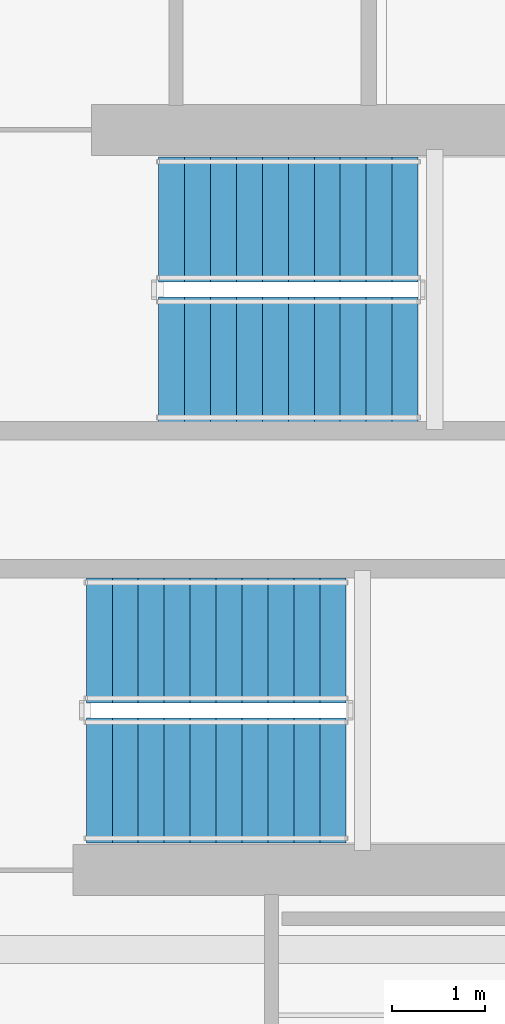
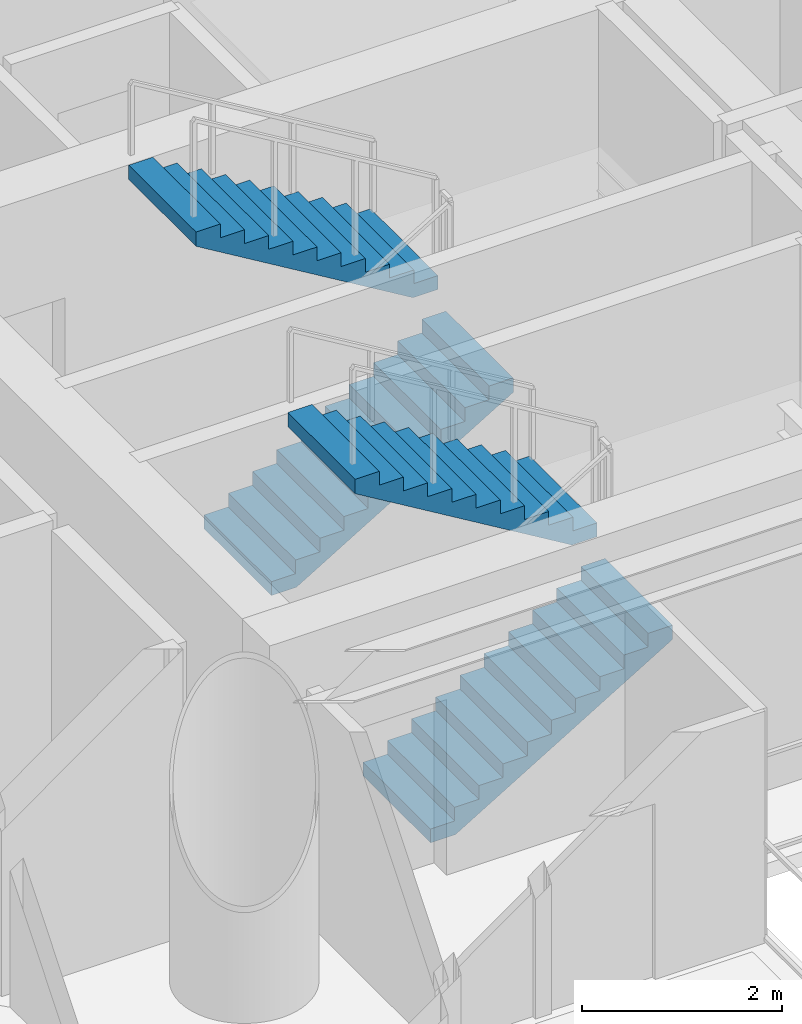
# One storey, part 17 of 19: 4 stair flights, 2 elements without a shape of their own.
"""IFC4 building model written with IfcOpenShell, lengths in metres."""

import ifcopenshell
import ifcopenshell.guid

model = None  # the IFC model being written
_history = None  # IfcOwnerHistory: only IFC2X3 demands one
_inside = {}  # id of a spatial element -> (the spatial element, [elements in it])
_under = {}  # id of a project, library or spatial element -> (it, [spatial elements below it])
_declared = {}  # id of a project -> (the project, [libraries it declares])
_typed = {}  # id of a type object -> (the type object, [elements of that type])
_made_of = {}  # id of a material, layer set ... -> (it, [elements and type objects made of it])


def new_model(schema):
    """Start an empty IFC model of exactly this schema.

    Asked for "IFC4X3", IfcOpenShell would pick the latest addendum, in which some entities
    have other attributes; the version numbers below select the first issue.
    IFC2X3 requires an IfcOwnerHistory on every rooted entity: one is made here for all.
    """
    global model, _history
    if schema == "IFC4X3":
        model = ifcopenshell.file(schema_version=(4, 3, 0, 0))
    else:
        model = ifcopenshell.file(schema=schema)
    _inside.clear()
    _under.clear()
    _declared.clear()
    _typed.clear()
    _made_of.clear()
    _history = None
    if model.schema == "IFC2X3":
        org = make("IfcOrganization", Name="unknown")
        user = make(
            "IfcPersonAndOrganization",
            ThePerson=make("IfcPerson", FamilyName="unknown"),
            TheOrganization=org,
        )
        app = make(
            "IfcApplication",
            ApplicationDeveloper=org,
            Version="unknown",
            ApplicationFullName="unknown",
            ApplicationIdentifier="unknown",
        )
        _history = make(
            "IfcOwnerHistory",
            OwningUser=user,
            OwningApplication=app,
            ChangeAction="ADDED",
            CreationDate=0,
        )
    return model


def make(cls, **values):
    """One entity of the class cls with the attributes given. An attribute that is None is left unset."""
    return model.create_entity(
        cls, **{name: value for name, value in values.items() if value is not None}
    )


def rooted(cls, **values):
    """An entity with a GlobalId (a new one), such as an element, a storey or a relation."""
    return make(cls, GlobalId=ifcopenshell.guid.new(), OwnerHistory=_history, **values)


def si_unit(unit_type, name, prefix=None):
    """IfcSIUnit, for example si_unit("LENGTHUNIT", "METRE", prefix="MILLI")."""
    return make("IfcSIUnit", UnitType=unit_type, Prefix=prefix, Name=name)


def assignment(units):
    """IfcUnitAssignment: the units of a project."""
    return None if units is None else make("IfcUnitAssignment", Units=units)


def point(xyz):
    """IfcCartesianPoint."""
    return None if xyz is None else make("IfcCartesianPoint", Coordinates=xyz)


def direction(xyz):
    """IfcDirection."""
    return None if xyz is None else make("IfcDirection", DirectionRatios=xyz)


def frame(location, z_axis=None, x_axis=None):
    """IfcAxis2Placement3D, a coordinate frame: its origin and axes. An axis left out is left unset."""
    return make(
        "IfcAxis2Placement3D",
        Location=point(location),
        Axis=direction(z_axis),
        RefDirection=direction(x_axis),
    )


def origin():
    """The frame at (0, 0, 0) with its axes left unset."""
    return frame((0.0, 0.0, 0.0))


def place(relative_to, where):
    """IfcLocalPlacement: puts the frame where relative to a parent placement (None: the world)."""
    return make(
        "IfcLocalPlacement", PlacementRelTo=relative_to, RelativePlacement=where
    )


def context(
    kind, dimensions, precision=None, world=None, true_north=None, identifier=None
):
    """IfcGeometricRepresentationContext, for example the 3D "Model" context."""
    return make(
        "IfcGeometricRepresentationContext",
        ContextIdentifier=identifier,
        ContextType=kind,
        CoordinateSpaceDimension=dimensions,
        Precision=precision,
        WorldCoordinateSystem=world,
        TrueNorth=true_north,
    )


def subcontext(parent, identifier, kind, view, scale=None):
    """IfcGeometricRepresentationSubContext, for example "Body" below "Model"."""
    return make(
        "IfcGeometricRepresentationSubContext",
        ContextIdentifier=identifier,
        ContextType=kind,
        ParentContext=parent,
        TargetScale=scale,
        TargetView=view,
    )


def project(units=None, contexts=None):
    """IfcProject with its units and contexts."""
    return rooted(
        "IfcProject",
        Name="project",
        RepresentationContexts=contexts,
        UnitsInContext=assignment(units),
    )


def spatial(cls, under=None, at=None, **own):
    """A site, building, storey or space (cls), placed at a placement, below another one or the project."""
    s = rooted(cls, ObjectPlacement=at, **own)
    if under is not None:
        _under.setdefault(under.id(), (under, []))[1].append(s)
    return s


def polyline(points):
    """IfcPolyline through the points."""
    return make("IfcPolyline", Points=[point(p) for p in points])


def outline(outer, holes=None, kind="AREA"):
    """IfcArbitraryClosedProfileDef: a profile drawn as a closed curve; with holes, ...WithVoids."""
    if holes is None:
        return make("IfcArbitraryClosedProfileDef", ProfileType=kind, OuterCurve=outer)
    return make(
        "IfcArbitraryProfileDefWithVoids",
        ProfileType=kind,
        OuterCurve=outer,
        InnerCurves=holes,
    )


def extrude(swept, where, along, depth):
    """IfcExtrudedAreaSolid: the profile swept, set in the frame where, extruded along a direction by depth."""
    return make(
        "IfcExtrudedAreaSolid",
        SweptArea=swept,
        Position=where,
        ExtrudedDirection=direction(along),
        Depth=depth,
    )


def shape(context_of_items, identifier, shape_type, items):
    """IfcShapeRepresentation: the items that make up one representation, for example the "Body"."""
    return make(
        "IfcShapeRepresentation",
        ContextOfItems=context_of_items,
        RepresentationIdentifier=identifier,
        RepresentationType=shape_type,
        Items=items,
    )


def material(Name=None, Category=None):
    """IfcMaterial."""
    return make("IfcMaterial", Name=Name, Category=Category)


def made_of(thing, what):
    """Note that an element or type object is made of a material, layer set ...; save() writes the relation."""
    if what is not None:
        _made_of.setdefault(what.id(), (what, []))[1].append(thing)
    return thing


def type_object(cls, material=None, **own):
    """A type object (cls), such as IfcWallType, which elements share."""
    return made_of(rooted(cls, **own), material)


def element(
    cls,
    number,
    at=None,
    inside=None,
    cuts=None,
    type_object=None,
    material=None,
    context=None,
    identifier="Body",
    shape_type=None,
    held_by="IfcProductDefinitionShape",
    body=None,
    shapes=None,
    **own,
):
    """One element of the class cls, such as IfcWall. Its Tag is "e" and its number.

    at: its placement. inside: the storey or other place that contains it. cuts: it is an
    opening in that element (IfcRelVoidsElement). A single representation is given by context,
    identifier, shape_type and body (its items); several are given by shapes. held_by: the class
    of the entity that holds the representations. save() writes the other relations.
    """
    e = rooted(cls, Tag="e%d" % number, ObjectPlacement=at, **own)
    if body is not None:
        shapes = [shape(context, identifier, shape_type, body)]
    if shapes is not None:
        e.Representation = make(held_by, Representations=shapes)
    if inside is not None:
        _inside.setdefault(inside.id(), (inside, []))[1].append(e)
    if cuts is not None:
        rooted(
            "IfcRelVoidsElement", RelatingBuildingElement=cuts, RelatedOpeningElement=e
        )
    if type_object is not None:
        _typed.setdefault(type_object.id(), (type_object, []))[1].append(e)
    return made_of(e, material)


def aggregate(whole, parts):
    """IfcRelAggregates: a whole, such as a stair, and the parts it consists of."""
    return rooted("IfcRelAggregates", RelatingObject=whole, RelatedObjects=parts)


def save(model, path):
    """Write the relations noted so far, then the file.

    IfcRelAggregates (storeys below a building ...), IfcRelContainedInSpatialStructure (elements
    in a storey), IfcRelDefinesByType, IfcRelAssociatesMaterial and IfcRelDeclares: one each for
    every whole, place, type object, material and project.
    """
    for whole, parts in _under.values():
        aggregate(whole, parts)
    for where, things in _inside.values():
        rooted(
            "IfcRelContainedInSpatialStructure",
            RelatedElements=things,
            RelatingStructure=where,
        )
    for kind, things in _typed.values():
        rooted("IfcRelDefinesByType", RelatedObjects=things, RelatingType=kind)
    for what, things in _made_of.values():
        rooted("IfcRelAssociatesMaterial", RelatedObjects=things, RelatingMaterial=what)
    for by, libraries in _declared.values():
        rooted("IfcRelDeclares", RelatingContext=by, RelatedDefinitions=libraries)
    model.write(path)


model = new_model("IFC4")

# Units and contexts
model_context = context("Model", 3, precision=1e-05, world=origin(), true_north=direction((0.0, 1.0)))
body_context = subcontext(model_context, "Body", "Model", "MODEL_VIEW")
ifc_project = project(units=[si_unit("LENGTHUNIT", "METRE"), si_unit("AREAUNIT", "SQUARE_METRE"), si_unit("VOLUMEUNIT", "CUBIC_METRE"), si_unit("PLANEANGLEUNIT", "RADIAN"), si_unit("MASSUNIT", "GRAM", prefix="KILO")], contexts=[model_context])

# Site, building, storey
site_placement = place(None, origin())
site = spatial("IfcSite", under=ifc_project, at=site_placement, CompositionType="ELEMENT")
building_placement = place(site_placement, origin())
building = spatial("IfcBuilding", under=site, at=building_placement, Name="Qianvela Tower", CompositionType="ELEMENT")
storey_placement = place(building_placement, frame((0.0, 0.0, 123.699951171875)))
storey = spatial("IfcBuildingStorey", under=building, at=storey_placement, Name="L31", CompositionType="ELEMENT", Elevation=123.699951171875)

# Stair, stair flights
ifc_material_1 = material(Name="Concrete C40", Category="concrete")
stair_type = type_object("IfcStairType", Name="ST-DOGLEG-1350-R168-N22", PredefinedType="HALF_TURN_STAIR", material=ifc_material_1)
stair_1_placement = place(storey_placement, origin())
stair_1 = element("IfcStair", 1, at=stair_1_placement, inside=storey, type_object=stair_type, Name="L31 Smoke-Proof Core Stair ST-1", PredefinedType="HALF_TURN_STAIR")
ifc_material_2 = material(Name="Concrete C40", Category="concrete")
stair_flight_type = type_object("IfcStairFlightType", Name="STF-STRAIGHT-R168-P11", PredefinedType="STRAIGHT", material=ifc_material_2)
stair_flight_1_placement = place(storey_placement, frame((32.199951171875, 30.215087890625, 0.0), z_axis=(0.0, 0.0, 1.0), x_axis=(1.0, 0.0, 0.0)))
stair_flight_1 = element("IfcStairFlight", 2, at=stair_flight_1_placement, type_object=stair_flight_type, Name="ST-1 flight 1", NumberOfRisers=11, NumberOfTreads=10, PredefinedType="STRAIGHT", RiserHeight=0.168181818, TreadLength=0.28, context=body_context, shape_type="SweptSolid", body=[
    extrude(outline(polyline([(0.0, 0.0), (0.0, 0.168212890625), (0.280029296875, 0.168212890625), (0.280029296875, 0.33642578125), (0.56005859375, 0.33642578125), (0.56005859375, 0.504638671875), (0.840087890625, 0.504638671875), (0.840087890625, 0.672607421875), (1.1201171875, 0.672607421875), (1.1201171875, 0.8408203125), (1.39990234375, 0.8408203125), (1.39990234375, 1.009033203125), (1.679931640625, 1.009033203125), (1.679931640625, 1.17724609375), (1.9599609375, 1.17724609375), (1.9599609375, 1.345458984375), (2.239990234375, 1.345458984375), (2.239990234375, 1.513671875), (2.52001953125, 1.513671875), (2.52001953125, 1.681884765625), (2.800048828125, 1.681884765625), (2.800048828125, 1.85009765625), (2.800048828125, 1.5068359375), (0.291015625, 0.0), (0.0, 0.0)])), frame((0.0, 0.675048828125, 0.0), z_axis=(0.0, -1.0, 0.0), x_axis=(1.0, 0.0, 0.0)), (0.0, 0.0, 1.0), 1.35009765625),
])
stair_flight_2_placement = place(storey_placement, frame((35.0, 31.72509765625, 1.85009765625), z_axis=(0.0, 0.0, 1.0), x_axis=(-1.0, 0.0, 0.0)))
stair_flight_2 = element("IfcStairFlight", 3, at=stair_flight_2_placement, type_object=stair_flight_type, Name="ST-1 flight 2", NumberOfRisers=11, NumberOfTreads=10, PredefinedType="STRAIGHT", RiserHeight=0.168181818, TreadLength=0.28, context=body_context, shape_type="SweptSolid", body=[
    extrude(outline(polyline([(0.0, 0.0), (0.0, 0.168212890625), (0.280029296875, 0.168212890625), (0.280029296875, 0.33642578125), (0.56005859375, 0.33642578125), (0.56005859375, 0.504638671875), (0.840087890625, 0.504638671875), (0.840087890625, 0.672607421875), (1.1201171875, 0.672607421875), (1.1201171875, 0.8408203125), (1.39990234375, 0.8408203125), (1.39990234375, 1.009033203125), (1.679931640625, 1.009033203125), (1.679931640625, 1.17724609375), (1.9599609375, 1.17724609375), (1.9599609375, 1.345458984375), (2.239990234375, 1.345458984375), (2.239990234375, 1.513671875), (2.52001953125, 1.513671875), (2.52001953125, 1.681884765625), (2.800048828125, 1.681884765625), (2.800048828125, 1.85009765625), (2.800048828125, 1.5068359375), (0.291015625, 0.0), (0.0, 0.0)])), frame((0.0, 0.675048828125, 0.0), z_axis=(0.0, -1.0, 0.0), x_axis=(1.0, 0.0, 0.0)), (0.0, 0.0, 1.0), 1.35009765625),
])
aggregate(stair_1, [stair_flight_1, stair_flight_2])

stair_2_placement = place(storey_placement, origin())
stair_2 = element("IfcStair", 4, at=stair_2_placement, inside=storey, type_object=stair_type, Name="L31 Smoke-Proof Core Stair ST-2", PredefinedType="HALF_TURN_STAIR")
stair_flight_3_placement = place(storey_placement, frame((31.419921875, 25.675048828125, 0.0), z_axis=(0.0, 0.0, 1.0), x_axis=(1.0, 0.0, 0.0)))
stair_flight_3 = element("IfcStairFlight", 5, at=stair_flight_3_placement, type_object=stair_flight_type, Name="ST-2 flight 1", NumberOfRisers=11, NumberOfTreads=10, PredefinedType="STRAIGHT", RiserHeight=0.168181818, TreadLength=0.28, context=body_context, shape_type="SweptSolid", body=[
    extrude(outline(polyline([(0.0, 0.0), (0.0, 0.168212890625), (0.280029296875, 0.168212890625), (0.280029296875, 0.33642578125), (0.56005859375, 0.33642578125), (0.56005859375, 0.504638671875), (0.840087890625, 0.504638671875), (0.840087890625, 0.672607421875), (1.1201171875, 0.672607421875), (1.1201171875, 0.8408203125), (1.39990234375, 0.8408203125), (1.39990234375, 1.009033203125), (1.679931640625, 1.009033203125), (1.679931640625, 1.17724609375), (1.9599609375, 1.17724609375), (1.9599609375, 1.345458984375), (2.239990234375, 1.345458984375), (2.239990234375, 1.513671875), (2.52001953125, 1.513671875), (2.52001953125, 1.681884765625), (2.800048828125, 1.681884765625), (2.800048828125, 1.85009765625), (2.800048828125, 1.5068359375), (0.291015625, 0.0), (0.0, 0.0)])), frame((0.0, 0.675048828125, 0.0), z_axis=(0.0, -1.0, 0.0), x_axis=(1.0, 0.0, 0.0)), (0.0, 0.0, 1.0), 1.35009765625),
])
stair_flight_4_placement = place(storey_placement, frame((34.219970703125, 27.18505859375, 1.85009765625), z_axis=(0.0, 0.0, 1.0), x_axis=(-1.0, 0.0, 0.0)))
stair_flight_4 = element("IfcStairFlight", 6, at=stair_flight_4_placement, type_object=stair_flight_type, Name="ST-2 flight 2", NumberOfRisers=11, NumberOfTreads=10, PredefinedType="STRAIGHT", RiserHeight=0.168181818, TreadLength=0.28, context=body_context, shape_type="SweptSolid", body=[
    extrude(outline(polyline([(0.0, 0.0), (0.0, 0.168212890625), (0.280029296875, 0.168212890625), (0.280029296875, 0.33642578125), (0.56005859375, 0.33642578125), (0.56005859375, 0.504638671875), (0.840087890625, 0.504638671875), (0.840087890625, 0.672607421875), (1.1201171875, 0.672607421875), (1.1201171875, 0.8408203125), (1.39990234375, 0.8408203125), (1.39990234375, 1.009033203125), (1.679931640625, 1.009033203125), (1.679931640625, 1.17724609375), (1.9599609375, 1.17724609375), (1.9599609375, 1.345458984375), (2.239990234375, 1.345458984375), (2.239990234375, 1.513671875), (2.52001953125, 1.513671875), (2.52001953125, 1.681884765625), (2.800048828125, 1.681884765625), (2.800048828125, 1.85009765625), (2.800048828125, 1.5068359375), (0.291015625, 0.0), (0.0, 0.0)])), frame((0.0, 0.675048828125, 0.0), z_axis=(0.0, -1.0, 0.0), x_axis=(1.0, 0.0, 0.0)), (0.0, 0.0, 1.0), 1.35009765625),
])
aggregate(stair_2, [stair_flight_3, stair_flight_4])

save(model, "model.ifc")
